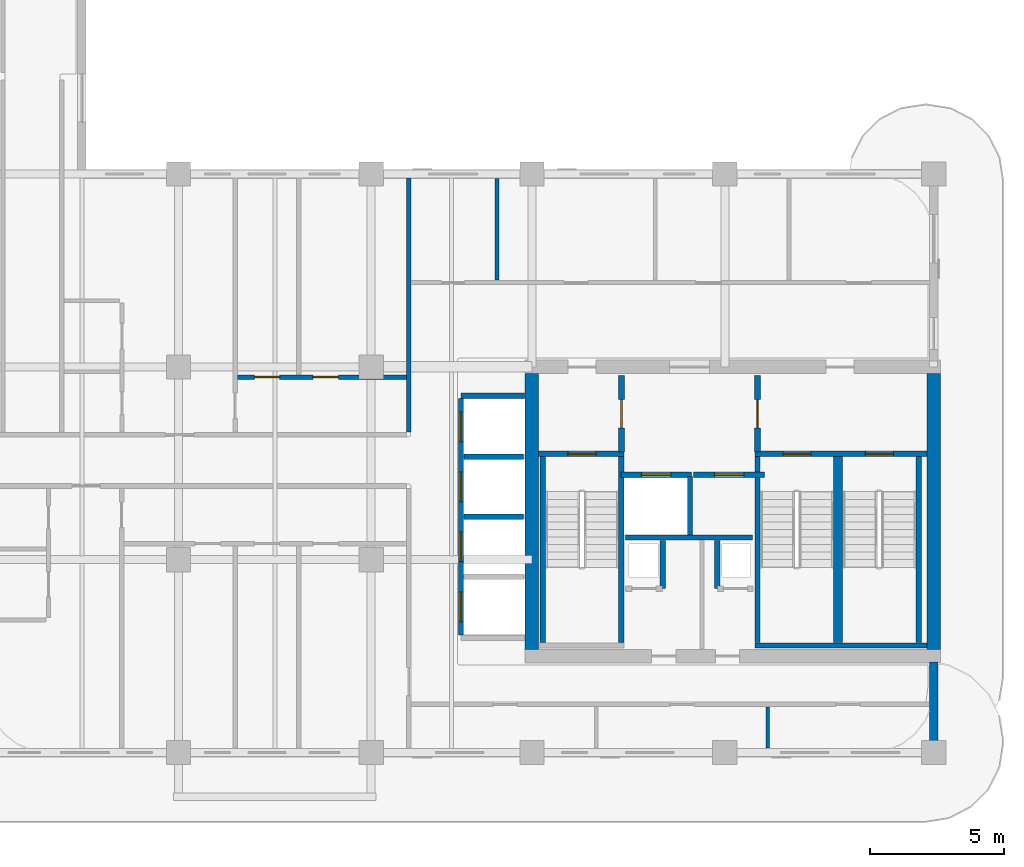
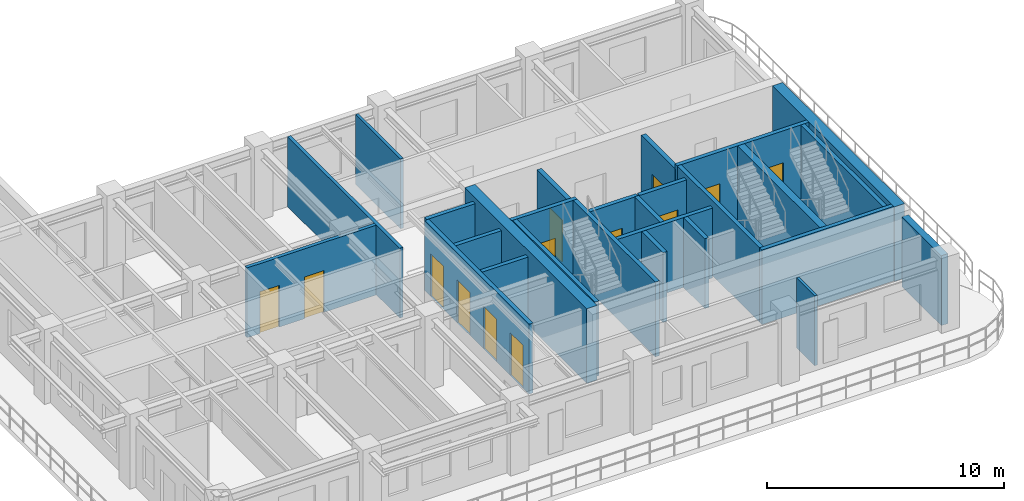
# One storey, part 8 of 14: 27 walls, 13 doors, 13 openings.
"""IFC4 building model written with IfcOpenShell, lengths in metres."""

from ifc_helpers import new_model, si_unit, derived_unit, direction, frame, frame_2d, origin, place, context, subcontext, project, spatial, rectangle, extrude, source, transform, mapped, material, layer, layer_set, type_object, type_shapes, element, fill, save


model = new_model("IFC4")

# Units and contexts
model_context = context("Model", 3, precision=1e-05, world=origin(), true_north=direction((0.0, 1.0)))
body_context = subcontext(model_context, "Body", "Model", "MODEL_VIEW")
ifc_project = project(units=[si_unit("LENGTHUNIT", "METRE"), si_unit("AREAUNIT", "SQUARE_METRE"), si_unit("VOLUMEUNIT", "CUBIC_METRE"), si_unit("PLANEANGLEUNIT", "RADIAN"), si_unit("MASSUNIT", "GRAM", prefix="KILO"), si_unit("THERMODYNAMICTEMPERATUREUNIT", "KELVIN"), si_unit("POWERUNIT", "WATT"), derived_unit("THERMALTRANSMITTANCEUNIT", [(si_unit("POWERUNIT", "WATT"), 1), (si_unit("AREAUNIT", "SQUARE_METRE"), -1), (si_unit("THERMODYNAMICTEMPERATUREUNIT", "KELVIN"), -1)])], contexts=[model_context])

# Site, building, storey
site_placement = place(None, origin())
site = spatial("IfcSite", under=ifc_project, at=site_placement, CompositionType="ELEMENT")
building_placement = place(site_placement, origin())
building = spatial("IfcBuilding", under=site, at=building_placement, Name="Zahravan Archway Hotel and Residences", CompositionType="ELEMENT")
storey_placement = place(building_placement, frame((0.0, 0.0, 209.60009765625)))
storey = spatial("IfcBuildingStorey", under=building, at=storey_placement, Name="L52", CompositionType="ELEMENT", Elevation=209.60009765625)

# Walls
ifc_material_1 = material(Name="Concrete C60/75", Category="concrete")
ifc_layer_1 = layer(ifc_material_1, 0.5, Name="Concrete C60/75", Category="concrete")
ifc_layer_set_1 = layer_set([ifc_layer_1], Name="Concrete C60/75")
wall_type_1 = type_object("IfcWallType", Name="CW-CORE-500", PredefinedType="SHEAR", material=ifc_layer_set_1)
for number, where, z_axis, x_axis, name in (
    (1, (34.800048828125, 3.85009765625, 0.0), (0.0, 0.0, 1.0), (0.0, 1.0, 0.0), "L52 Core A Shear W Wall 500 mm"),
    (2, (49.800048828125, 3.85009765625, 0.0), (0.0, 0.0, 1.0), (0.0, 1.0, 0.0), "L52 Core A Shear E Wall 500 mm"),
):
    element("IfcWall", number, at=place(storey_placement, frame(where, z_axis=z_axis, x_axis=x_axis)), inside=storey, type_object=wall_type_1, Name=name, PredefinedType="SHEAR", context=body_context, shape_type="SweptSolid", body=[
        extrude(rectangle(XDim=10.2998046875, YDim=0.5, at=frame_2d((5.14990234375, 0.0))), origin(), (0.0, 0.0, 1.0), 3.849853515625),
    ])
ifc_material_2 = material(Name="Agra Buff Sandstone & Insulated Backup", Category="masonry")
ifc_layer_2 = layer(ifc_material_2, 0.320068359375, Name="Agra Buff Sandstone & Insulated Backup", Category="masonry")
ifc_layer_set_2 = layer_set([ifc_layer_2], Name="Agra Buff Sandstone & Insulated Backup")
wall_type_2 = type_object("IfcWallType", Name="EW-SAND-320", PredefinedType="SOLIDWALL", material=ifc_layer_set_2)
wall_1_placement = place(storey_placement, frame((49.800048828125, 0.050048828125, 0.0), z_axis=(0.0, 0.0, 1.0), x_axis=(0.0, 1.0, 0.0)))
element("IfcWall", 3, at=wall_1_placement, inside=storey, type_object=wall_type_2, Name="L52 Exterior Sandstone Wall WA-ES", PredefinedType="SOLIDWALL", context=body_context, shape_type="SweptSolid", body=[
    extrude(rectangle(XDim=3.329833984375, YDim=0.320068359375, at=frame_2d((1.6650390625, 0.0))), origin(), (0.0, 0.0, 1.0), 3.599853515625),
])

# Wall, opening, door
ifc_material_3 = material(Name="Fire-Rated Gypsum & Concrete Block", Category="concrete")
ifc_layer_3 = layer(ifc_material_3, 0.219970703125, Name="Fire-Rated Gypsum & Concrete Block", Category="concrete")
ifc_layer_set_3 = layer_set([ifc_layer_3], Name="Fire-Rated Gypsum & Concrete Block")
wall_type_3 = type_object("IfcWallType", Name="PW-COMP-220", PredefinedType="PARTITIONING", material=ifc_layer_set_3)
wall_2_placement = place(storey_placement, frame((38.139892578125, 11.219970703125, 0.0), z_axis=(0.0, 0.0, 1.0), x_axis=(0.0, 1.0, 0.0)))
wall_2 = element("IfcWall", 4, at=wall_2_placement, inside=storey, type_object=wall_type_3, Name="L52 Partition CA-LOBW", PredefinedType="PARTITIONING", context=body_context, shape_type="SweptSolid", body=[
    extrude(rectangle(XDim=2.860107421875, YDim=0.219970703125, at=frame_2d((1.43017578125, 0.0))), origin(), (0.0, 0.0, 1.0), 3.599853515625),
])
opening_1_placement = place(wall_2_placement, frame((0.905029296875, 0.0, 0.0)))
opening_1 = element("IfcOpeningElement", 5, at=opening_1_placement, cuts=wall_2, Name="Opening FD-L2", PredefinedType="OPENING", context=body_context, shape_type="SweptSolid", body=[
    extrude(rectangle(XDim=1.050048828125, YDim=2.14990234375, at=frame_2d((0.52490234375, 1.074951171875))), frame((0.0, 0.1201171875, 0.0), z_axis=(0.0, -1.0, 0.0), x_axis=(1.0, 0.0, 0.0)), (0.0, 0.0, 1.0), 0.239990234375),
])
ifc_material_4 = material(Name="Fire-Rated Painted Steel", Category="steel")
door_type_1 = type_object("IfcDoorType", Name="FD-LOBBY-1100", OperationType="NOTDEFINED", PredefinedType="DOOR", material=ifc_material_4)
shared_shape_1 = source(origin(), body_context, "Body", "SweptSolid", [
    extrude(rectangle(XDim=1.050048828125, YDim=2.14990234375, at=frame_2d((0.52490234375, 1.074951171875))), frame((0.0, 0.02490234375, 0.0), z_axis=(0.0, -1.0, 0.0), x_axis=(1.0, 0.0, 0.0)), (0.0, 0.0, 1.0), 0.050048828125),
])
type_shapes(door_type_1, [shared_shape_1])
door_1_placement = place(opening_1_placement, origin())
door_1 = element("IfcDoor", 6, at=door_1_placement, inside=storey, type_object=door_type_1, Name="L52 Core A West Stair to FSAE Lobby Door", OperationType="SINGLE_SWING_RIGHT", OverallHeight=2.14990234375, OverallWidth=1.050048828125, PredefinedType="DOOR", context=body_context, shape_type="MappedRepresentation", body=[
    mapped(shared_shape_1, transform((0.0, 0.0, 0.0), scale=1.0)),
])
fill(opening_1, door_1)

wall_3_placement = place(storey_placement, frame((43.219970703125, 11.219970703125, 0.0), z_axis=(0.0, 0.0, 1.0), x_axis=(0.0, 1.0, 0.0)))
wall_3 = element("IfcWall", 7, at=wall_3_placement, inside=storey, type_object=wall_type_3, Name="L52 Partition CA-LOBE", PredefinedType="PARTITIONING", context=body_context, shape_type="SweptSolid", body=[
    extrude(rectangle(XDim=2.860107421875, YDim=0.219970703125, at=frame_2d((1.43017578125, 0.0))), origin(), (0.0, 0.0, 1.0), 3.599853515625),
])
opening_2_placement = place(wall_3_placement, frame((0.905029296875, 0.0, 0.0)))
opening_2 = element("IfcOpeningElement", 8, at=opening_2_placement, cuts=wall_3, Name="Opening FD-L2", PredefinedType="OPENING", context=body_context, shape_type="SweptSolid", body=[
    extrude(rectangle(XDim=1.050048828125, YDim=2.14990234375, at=frame_2d((0.52490234375, 1.074951171875))), frame((0.0, 0.1201171875, 0.0), z_axis=(0.0, -1.0, 0.0), x_axis=(1.0, 0.0, 0.0)), (0.0, 0.0, 1.0), 0.239990234375),
])
door_2_placement = place(opening_2_placement, origin())
door_2 = element("IfcDoor", 9, at=door_2_placement, inside=storey, type_object=door_type_1, Name="L52 Core A East Stair to FSAE Lobby Door", OperationType="SINGLE_SWING_LEFT", OverallHeight=2.14990234375, OverallWidth=1.050048828125, PredefinedType="DOOR", context=body_context, shape_type="MappedRepresentation", body=[
    mapped(shared_shape_1, transform((0.0, 0.0, 0.0), scale=1.0)),
])
fill(opening_2, door_2)

# Walls
ifc_layer_4 = layer(ifc_material_3, 0.159912109375, Name="Fire-Rated Gypsum & Concrete Block", Category="concrete")
ifc_layer_set_4 = layer_set([ifc_layer_4], Name="Fire-Rated Gypsum & Concrete Block")
wall_type_4 = type_object("IfcWallType", Name="PW-CORR-160", PredefinedType="PARTITIONING", material=ifc_layer_set_4)
wall_4_placement = place(storey_placement, frame((30.199951171875, 11.9599609375, 0.0), z_axis=(0.0, 0.0, 1.0), x_axis=(0.0, 1.0, 0.0)))
element("IfcWall", 10, at=wall_4_placement, inside=storey, type_object=wall_type_4, Name="L52 Partition WA-FW", PredefinedType="PARTITIONING", context=body_context, shape_type="SweptSolid", body=[
    extrude(rectangle(XDim=9.5, YDim=0.159912109375, at=frame_2d((4.75, 0.0))), origin(), (0.0, 0.0, 1.0), 3.599853515625),
])
ifc_material_5 = material(Name="Acoustic Stud Partition")
ifc_layer_5 = layer(ifc_material_5, 0.125, Name="Acoustic Stud Partition")
ifc_layer_set_5 = layer_set([ifc_layer_5], Name="Acoustic Stud Partition")
wall_type_5 = type_object("IfcWallType", Name="PW-INT-125", PredefinedType="PARTITIONING", material=ifc_layer_set_5)
wall_5_placement = place(storey_placement, frame((43.60009765625, 0.16796875, 0.0), z_axis=(0.0, 0.0, 1.0), x_axis=(0.0, 1.0, 0.0)))
element("IfcWall", 11, at=wall_5_placement, inside=storey, type_object=wall_type_5, Name="L52 Partition S-DIV2B", PredefinedType="PARTITIONING", context=body_context, shape_type="SweptSolid", body=[
    extrude(rectangle(XDim=1.5419921875, YDim=0.125, at=frame_2d((0.77099609375, 0.0))), origin(), (0.0, 0.0, 1.0), 3.599853515625),
])
ifc_layer_6 = layer(ifc_material_3, 0.199951171875, Name="Fire-Rated Gypsum & Concrete Block", Category="concrete")
ifc_layer_set_6 = layer_set([ifc_layer_6], Name="Fire-Rated Gypsum & Concrete Block")
wall_type_6 = type_object("IfcWallType", Name="PW-SHAFT-200", PredefinedType="PARTITIONING", material=ifc_layer_set_6)
wall_6_placement = place(storey_placement, frame((38.300048828125, 8.030029296875, 0.0), z_axis=(0.0, 0.0, 1.0), x_axis=(1.0, 0.0, 0.0)))
element("IfcWall", 12, at=wall_6_placement, inside=storey, type_object=wall_type_6, Name="L52 Partition CA-FLS", PredefinedType="PARTITIONING", context=body_context, shape_type="SweptSolid", body=[
    extrude(rectangle(XDim=4.739990234375, YDim=0.199951171875, at=frame_2d((2.3701171875, 0.0))), origin(), (0.0, 0.0, 1.0), 3.599853515625),
])
wall_7_placement = place(storey_placement, frame((40.699951171875, 8.1201171875, 0.0), z_axis=(0.0, 0.0, 1.0), x_axis=(0.0, 1.0, 0.0)))
element("IfcWall", 13, at=wall_7_placement, inside=storey, type_object=wall_type_6, Name="L52 Partition CA-FLM", PredefinedType="PARTITIONING", context=body_context, shape_type="SweptSolid", body=[
    extrude(rectangle(XDim=2.179931640625, YDim=0.199951171875, at=frame_2d((1.08984375, 0.0))), origin(), (0.0, 0.0, 1.0), 3.599853515625),
])
for number, where, z_axis, x_axis, name in (
    (14, (39.679931640625, 6.1298828125, 0.0), (0.0, 0.0, 1.0), (0.0, 1.0, 0.0), "L52 Partition CA-SMKE"),
    (15, (41.719970703125, 6.1298828125, 0.0), (0.0, 0.0, 1.0), (0.0, 1.0, 0.0), "L52 Partition CA-MEPW"),
):
    element("IfcWall", number, at=place(storey_placement, frame(where, z_axis=z_axis, x_axis=x_axis)), inside=storey, type_object=wall_type_6, Name=name, PredefinedType="PARTITIONING", context=body_context, shape_type="SweptSolid", body=[
        extrude(rectangle(XDim=1.7900390625, YDim=0.199951171875, at=frame_2d((0.89501953125, 0.0))), origin(), (0.0, 0.0, 1.0), 3.599853515625),
    ])
wall_8_placement = place(storey_placement, frame((32.159912109375, 13.320068359375, 0.0), z_axis=(0.0, 0.0, 1.0), x_axis=(1.0, 0.0, 0.0)))
element("IfcWall", 16, at=wall_8_placement, inside=storey, type_object=wall_type_6, Name="L52 Partition B3-N", PredefinedType="PARTITIONING", context=body_context, shape_type="SweptSolid", body=[
    extrude(rectangle(XDim=2.360107421875, YDim=0.199951171875, at=frame_2d((1.18017578125, 0.0))), origin(), (0.0, 0.0, 1.0), 3.599853515625),
])

# Wall, openings, doors
wall_9_placement = place(storey_placement, frame((32.14990234375, 4.389892578125, 0.0), z_axis=(0.0, 0.0, 1.0), x_axis=(0.0, 1.0, 0.0)))
wall_9 = element("IfcWall", 17, at=wall_9_placement, inside=storey, type_object=wall_type_6, Name="L52 Partition B3-W", PredefinedType="PARTITIONING", context=body_context, shape_type="SweptSolid", body=[
    extrude(rectangle(XDim=8.820068359375, YDim=0.199951171875, at=frame_2d((4.41015625, 0.0))), origin(), (0.0, 0.0, 1.0), 3.599853515625),
])
opening_3_placement = place(wall_9_placement, frame((0.5, 0.0, 0.0)))
opening_3 = element("IfcOpeningElement", 18, at=opening_3_placement, cuts=wall_9, Name="Opening LD", PredefinedType="OPENING", context=body_context, shape_type="SweptSolid", body=[
    extrude(rectangle(XDim=1.10009765625, YDim=2.199951171875, at=frame_2d((0.550048828125, 1.10009765625))), frame((0.0, 0.10986328125, 0.0), z_axis=(0.0, -1.0, 0.0), x_axis=(1.0, 0.0, 0.0)), (0.0, 0.0, 1.0), 0.219970703125),
])
opening_4_placement = place(wall_9_placement, frame((2.739990234375, 0.0, 0.0)))
opening_4 = element("IfcOpeningElement", 19, at=opening_4_placement, cuts=wall_9, Name="Opening LD", PredefinedType="OPENING", context=body_context, shape_type="SweptSolid", body=[
    extrude(rectangle(XDim=1.10009765625, YDim=2.199951171875, at=frame_2d((0.550048828125, 1.10009765625))), frame((0.0, 0.10986328125, 0.0), z_axis=(0.0, -1.0, 0.0), x_axis=(1.0, 0.0, 0.0)), (0.0, 0.0, 1.0), 0.219970703125),
])
opening_5_placement = place(wall_9_placement, frame((4.97998046875, 0.0, 0.0)))
opening_5 = element("IfcOpeningElement", 20, at=opening_5_placement, cuts=wall_9, Name="Opening LD", PredefinedType="OPENING", context=body_context, shape_type="SweptSolid", body=[
    extrude(rectangle(XDim=1.10009765625, YDim=2.199951171875, at=frame_2d((0.550048828125, 1.10009765625))), frame((0.0, 0.10986328125, 0.0), z_axis=(0.0, -1.0, 0.0), x_axis=(1.0, 0.0, 0.0)), (0.0, 0.0, 1.0), 0.219970703125),
])
opening_6_placement = place(wall_9_placement, frame((7.219970703125, 0.0, 0.0)))
opening_6 = element("IfcOpeningElement", 21, at=opening_6_placement, cuts=wall_9, Name="Opening LD", PredefinedType="OPENING", context=body_context, shape_type="SweptSolid", body=[
    extrude(rectangle(XDim=1.10009765625, YDim=2.199951171875, at=frame_2d((0.550048828125, 1.10009765625))), frame((0.0, 0.10986328125, 0.0), z_axis=(0.0, -1.0, 0.0), x_axis=(1.0, 0.0, 0.0)), (0.0, 0.0, 1.0), 0.219970703125),
])
ifc_material_6 = material(Name="Brushed Stainless Steel", Category="steel")
door_type_2 = type_object("IfcDoorType", Name="DR-LIFT-LD", OperationType="SLIDING_TO_LEFT", PredefinedType="DOOR", material=ifc_material_6)
shared_shape_2 = source(origin(), body_context, "Body", "SweptSolid", [
    extrude(rectangle(XDim=1.10009765625, YDim=2.199951171875, at=frame_2d((0.550048828125, 1.10009765625))), frame((0.0, 0.02490234375, 0.0), z_axis=(0.0, -1.0, 0.0), x_axis=(1.0, 0.0, 0.0)), (0.0, 0.0, 1.0), 0.050048828125),
])
type_shapes(door_type_2, [shared_shape_2])
door_3_placement = place(opening_3_placement, origin())
door_3 = element("IfcDoor", 22, at=door_3_placement, inside=storey, type_object=door_type_2, Name="L52 Lift LP-7 Sliding Landing Door", OperationType="SLIDING_TO_LEFT", OverallHeight=2.199951171875, OverallWidth=1.10009765625, PredefinedType="DOOR", context=body_context, shape_type="MappedRepresentation", body=[
    mapped(shared_shape_2, transform((0.0, 0.0, 0.0), scale=1.0)),
])
fill(opening_3, door_3)
door_4_placement = place(opening_4_placement, origin())
door_4 = element("IfcDoor", 23, at=door_4_placement, inside=storey, type_object=door_type_2, Name="L52 Lift LP-8 Sliding Landing Door", OperationType="SLIDING_TO_LEFT", OverallHeight=2.199951171875, OverallWidth=1.10009765625, PredefinedType="DOOR", context=body_context, shape_type="MappedRepresentation", body=[
    mapped(shared_shape_2, transform((0.0, 0.0, 0.0), scale=1.0)),
])
fill(opening_4, door_4)
door_5_placement = place(opening_5_placement, origin())
door_5 = element("IfcDoor", 24, at=door_5_placement, inside=storey, type_object=door_type_2, Name="L52 Lift LP-9 Sliding Landing Door", OperationType="SLIDING_TO_LEFT", OverallHeight=2.199951171875, OverallWidth=1.10009765625, PredefinedType="DOOR", context=body_context, shape_type="MappedRepresentation", body=[
    mapped(shared_shape_2, transform((0.0, 0.0, 0.0), scale=1.0)),
])
fill(opening_5, door_5)
door_6_placement = place(opening_6_placement, origin())
door_6 = element("IfcDoor", 25, at=door_6_placement, inside=storey, type_object=door_type_2, Name="L52 Lift LP-10 Sliding Landing Door", OperationType="SLIDING_TO_LEFT", OverallHeight=2.199951171875, OverallWidth=1.10009765625, PredefinedType="DOOR", context=body_context, shape_type="MappedRepresentation", body=[
    mapped(shared_shape_2, transform((0.0, 0.0, 0.0), scale=1.0)),
])
fill(opening_6, door_6)

# Walls
for number, where, z_axis, x_axis, name in (
    (26, (32.260009765625, 8.800048828125, 0.0), (0.0, 0.0, 1.0), (1.0, 0.0, 0.0), "L52 Partition B3-D"),
    (27, (32.260009765625, 11.0400390625, 0.0), (0.0, 0.0, 1.0), (1.0, 0.0, 0.0), "L52 Partition B3-D"),
):
    element("IfcWall", number, at=place(storey_placement, frame(where, z_axis=z_axis, x_axis=x_axis)), inside=storey, type_object=wall_type_6, Name=name, PredefinedType="PARTITIONING", context=body_context, shape_type="SweptSolid", body=[
        extrude(rectangle(XDim=2.22998046875, YDim=0.199951171875, at=frame_2d((1.114990234375, 0.0))), origin(), (0.0, 0.0, 1.0), 3.599853515625),
    ])

# Wall, opening, door
wall_10_placement = place(storey_placement, frame((38.1201171875, 10.3701171875, 0.0), z_axis=(0.0, 0.0, 1.0), x_axis=(1.0, 0.0, 0.0)))
wall_10 = element("IfcWall", 28, at=wall_10_placement, inside=storey, type_object=wall_type_6, Name="L52 Lift FL-1 Front Wall", PredefinedType="PARTITIONING", context=body_context, shape_type="SweptSolid", body=[
    extrude(rectangle(XDim=2.639892578125, YDim=0.199951171875, at=frame_2d((1.31982421875, 0.0))), origin(), (0.0, 0.0, 1.0), 3.599853515625),
])
opening_7_placement = place(wall_10_placement, frame((0.77001953125, 0.0, 0.0)))
opening_7 = element("IfcOpeningElement", 29, at=opening_7_placement, cuts=wall_10, Name="Opening LD", PredefinedType="OPENING", context=body_context, shape_type="SweptSolid", body=[
    extrude(rectangle(XDim=1.10009765625, YDim=2.199951171875, at=frame_2d((0.550048828125, 1.10009765625))), frame((0.0, 0.10986328125, 0.0), z_axis=(0.0, -1.0, 0.0), x_axis=(1.0, 0.0, 0.0)), (0.0, 0.0, 1.0), 0.219970703125),
])
door_7_placement = place(opening_7_placement, origin())
door_7 = element("IfcDoor", 30, at=door_7_placement, inside=storey, type_object=door_type_2, Name="L52 Lift FL-1 Sliding Landing Door", OperationType="SLIDING_TO_LEFT", OverallHeight=2.199951171875, OverallWidth=1.10009765625, PredefinedType="DOOR", context=body_context, shape_type="MappedRepresentation", body=[
    mapped(shared_shape_2, transform((0.0, 0.0, 0.0), scale=1.0)),
])
fill(opening_7, door_7)

wall_11_placement = place(storey_placement, frame((40.840087890625, 10.3701171875, 0.0), z_axis=(0.0, 0.0, 1.0), x_axis=(1.0, 0.0, 0.0)))
wall_11 = element("IfcWall", 31, at=wall_11_placement, inside=storey, type_object=wall_type_6, Name="L52 Lift FL-2 Front Wall", PredefinedType="PARTITIONING", context=body_context, shape_type="SweptSolid", body=[
    extrude(rectangle(XDim=2.639892578125, YDim=0.199951171875, at=frame_2d((1.31982421875, 0.0))), origin(), (0.0, 0.0, 1.0), 3.599853515625),
])
opening_8_placement = place(wall_11_placement, frame((0.77001953125, 0.0, 0.0)))
opening_8 = element("IfcOpeningElement", 32, at=opening_8_placement, cuts=wall_11, Name="Opening LD", PredefinedType="OPENING", context=body_context, shape_type="SweptSolid", body=[
    extrude(rectangle(XDim=1.10009765625, YDim=2.199951171875, at=frame_2d((0.550048828125, 1.10009765625))), frame((0.0, 0.10986328125, 0.0), z_axis=(0.0, -1.0, 0.0), x_axis=(1.0, 0.0, 0.0)), (0.0, 0.0, 1.0), 0.219970703125),
])
door_8_placement = place(opening_8_placement, origin())
door_8 = element("IfcDoor", 33, at=door_8_placement, inside=storey, type_object=door_type_2, Name="L52 Lift FL-2 Sliding Landing Door", OperationType="SLIDING_TO_LEFT", OverallHeight=2.199951171875, OverallWidth=1.10009765625, PredefinedType="DOOR", context=body_context, shape_type="MappedRepresentation", body=[
    mapped(shared_shape_2, transform((0.0, 0.0, 0.0), scale=1.0)),
])
fill(opening_8, door_8)

# Wall, openings, doors
ifc_layer_7 = layer(ifc_material_5, 0.169921875, Name="Acoustic Stud Partition")
ifc_layer_set_7 = layer_set([ifc_layer_7], Name="Acoustic Stud Partition")
wall_type_7 = type_object("IfcWallType", Name="PW-UNIT-170", PredefinedType="PARTITIONING", material=ifc_layer_set_7)
wall_12_placement = place(storey_placement, frame((23.81005859375, 14.02001953125, 0.0), z_axis=(0.0, 0.0, 1.0), x_axis=(1.0, 0.0, 0.0)))
wall_12 = element("IfcWall", 34, at=wall_12_placement, inside=storey, type_object=wall_type_7, Name="L52 Partition FL-HN1-GH", PredefinedType="PARTITIONING", context=body_context, shape_type="SweptSolid", body=[
    extrude(rectangle(XDim=6.300048828125, YDim=0.169921875, at=frame_2d((3.14990234375, 0.0))), origin(), (0.0, 0.0, 1.0), 3.599853515625),
])
opening_9_placement = place(wall_12_placement, frame((0.625, 0.0, 0.0)))
opening_9 = element("IfcOpeningElement", 35, at=opening_9_placement, cuts=wall_12, Name="Opening D-I1", PredefinedType="OPENING", context=body_context, shape_type="SweptSolid", body=[
    extrude(rectangle(XDim=0.949951171875, YDim=2.14990234375, at=frame_2d((0.47509765625, 1.074951171875))), frame((0.0, 0.094970703125, 0.0), z_axis=(0.0, -1.0, 0.0), x_axis=(1.0, 0.0, 0.0)), (0.0, 0.0, 1.0), 0.18994140625),
])
opening_10_placement = place(wall_12_placement, frame((2.81494140625, 0.0, 0.0)))
opening_10 = element("IfcOpeningElement", 36, at=opening_10_placement, cuts=wall_12, Name="Opening D-I1", PredefinedType="OPENING", context=body_context, shape_type="SweptSolid", body=[
    extrude(rectangle(XDim=0.949951171875, YDim=2.14990234375, at=frame_2d((0.47509765625, 1.074951171875))), frame((0.0, 0.094970703125, 0.0), z_axis=(0.0, -1.0, 0.0), x_axis=(1.0, 0.0, 0.0)), (0.0, 0.0, 1.0), 0.18994140625),
])
ifc_material_7 = material(Name="Hardwood Veneer Timber", Category="wood")
door_type_3 = type_object("IfcDoorType", Name="ID-INT-950", OperationType="NOTDEFINED", PredefinedType="DOOR", material=ifc_material_7)
shared_shape_3 = source(origin(), body_context, "Body", "SweptSolid", [
    extrude(rectangle(XDim=0.949951171875, YDim=2.14990234375, at=frame_2d((0.47509765625, 1.074951171875))), frame((0.0, 0.02490234375, 0.0), z_axis=(0.0, -1.0, 0.0), x_axis=(1.0, 0.0, 0.0)), (0.0, 0.0, 1.0), 0.050048828125),
])
type_shapes(door_type_3, [shared_shape_3])
door_9_placement = place(opening_9_placement, origin())
door_9 = element("IfcDoor", 37, at=door_9_placement, inside=storey, type_object=door_type_3, Name="L52 Flat HN1 Bedroom 1 Door", OperationType="SINGLE_SWING_RIGHT", OverallHeight=2.14990234375, OverallWidth=0.949951171875, PredefinedType="DOOR", context=body_context, shape_type="MappedRepresentation", body=[
    mapped(shared_shape_3, transform((0.0, 0.0, 0.0), scale=1.0)),
])
fill(opening_9, door_9)
door_10_placement = place(opening_10_placement, origin())
door_10 = element("IfcDoor", 38, at=door_10_placement, inside=storey, type_object=door_type_3, Name="L52 Flat HN1 Bedroom 2 Door", OperationType="SINGLE_SWING_LEFT", OverallHeight=2.14990234375, OverallWidth=0.949951171875, PredefinedType="DOOR", context=body_context, shape_type="MappedRepresentation", body=[
    mapped(shared_shape_3, transform((0.0, 0.0, 0.0), scale=1.0)),
])
fill(opening_10, door_10)

# Walls
ifc_material_8 = material(Name="Moisture-Resistant Blockwork", Category="masonry")
ifc_layer_8 = layer(ifc_material_8, 0.139892578125, Name="Moisture-Resistant Blockwork", Category="masonry")
ifc_layer_set_8 = layer_set([ifc_layer_8], Name="Moisture-Resistant Blockwork")
wall_type_8 = type_object("IfcWallType", Name="PW-WET-140", PredefinedType="PARTITIONING", material=ifc_layer_set_8)
wall_13_placement = place(storey_placement, frame((33.5, 17.639892578125, 0.0), z_axis=(0.0, 0.0, 1.0), x_axis=(0.0, 1.0, 0.0)))
element("IfcWall", 39, at=wall_13_placement, inside=storey, type_object=wall_type_8, Name="L52 Partition NE2-1", PredefinedType="PARTITIONING", context=body_context, shape_type="SweptSolid", body=[
    extrude(rectangle(XDim=3.7919921875, YDim=0.139892578125, at=frame_2d((1.89599609375, 0.0))), origin(), (0.0, 0.0, 1.0), 3.599853515625),
])
ifc_material_9 = material(Name="Concrete C50/60", Category="concrete")
ifc_layer_9 = layer(ifc_material_9, 0.199951171875, Name="Concrete C50/60", Category="concrete")
ifc_layer_set_9 = layer_set([ifc_layer_9], Name="Concrete C50/60")
wall_type_9 = type_object("IfcWallType", Name="SW-STAIR-200", PredefinedType="SHEAR", material=ifc_layer_set_9)
for number, where, z_axis, x_axis, name in (
    (40, (35.199951171875, 4.10009765625, 0.0), (0.0, 0.0, 1.0), (0.0, 1.0, 0.0), "L52 Stairwell RC Wall CA-SA1W"),
    (41, (38.139892578125, 4.10009765625, 0.0), (0.0, 0.0, 1.0), (0.0, 1.0, 0.0), "L52 Stairwell RC Wall CA-SA1E"),
):
    element("IfcWall", number, at=place(storey_placement, frame(where, z_axis=z_axis, x_axis=x_axis)), inside=storey, type_object=wall_type_9, Name=name, PredefinedType="SHEAR", context=body_context, shape_type="SweptSolid", body=[
        extrude(rectangle(XDim=6.949951171875, YDim=0.199951171875, at=frame_2d((3.47509765625, 0.0))), origin(), (0.0, 0.0, 1.0), 3.849853515625),
    ])

# Wall, opening, door
wall_14_placement = place(storey_placement, frame((35.050048828125, 11.14990234375, 0.0), z_axis=(0.0, 0.0, 1.0), x_axis=(1.0, 0.0, 0.0)))
wall_14 = element("IfcWall", 42, at=wall_14_placement, inside=storey, type_object=wall_type_9, Name="L52 Stairwell RC Wall CA-SA1N", PredefinedType="SHEAR", context=body_context, shape_type="SweptSolid", body=[
    extrude(rectangle(XDim=3.18994140625, YDim=0.199951171875, at=frame_2d((1.594970703125, 0.0))), origin(), (0.0, 0.0, 1.0), 3.849853515625),
])
opening_11_placement = place(wall_14_placement, frame((1.094970703125, 0.0, 0.0)))
opening_11 = element("IfcOpeningElement", 43, at=opening_11_placement, cuts=wall_14, Name="Opening FD-S1", PredefinedType="OPENING", context=body_context, shape_type="SweptSolid", body=[
    extrude(rectangle(XDim=1.050048828125, YDim=2.199951171875, at=frame_2d((0.52490234375, 1.10009765625))), frame((0.0, 0.10986328125, 0.0), z_axis=(0.0, -1.0, 0.0), x_axis=(1.0, 0.0, 0.0)), (0.0, 0.0, 1.0), 0.219970703125),
])
door_type_4 = type_object("IfcDoorType", Name="FD-STAIR-1100", OperationType="NOTDEFINED", PredefinedType="DOOR", material=ifc_material_4)
shared_shape_4 = source(origin(), body_context, "Body", "SweptSolid", [
    extrude(rectangle(XDim=1.050048828125, YDim=2.199951171875, at=frame_2d((0.52490234375, 1.10009765625))), frame((0.0, 0.02490234375, 0.0), z_axis=(0.0, -1.0, 0.0), x_axis=(1.0, 0.0, 0.0)), (0.0, 0.0, 1.0), 0.050048828125),
])
type_shapes(door_type_4, [shared_shape_4])
door_11_placement = place(opening_11_placement, origin())
door_11 = element("IfcDoor", 44, at=door_11_placement, inside=storey, type_object=door_type_4, Name="L52 Stair ST-A1 Door", OperationType="SINGLE_SWING_LEFT", OverallHeight=2.199951171875, OverallWidth=1.050048828125, PredefinedType="DOOR", context=body_context, shape_type="MappedRepresentation", body=[
    mapped(shared_shape_4, transform((0.0, 0.0, 0.0), scale=1.0)),
])
fill(opening_11, door_11)

# Walls
wall_15_placement = place(storey_placement, frame((43.1201171875, 4.0, 0.0), z_axis=(0.0, 0.0, 1.0), x_axis=(1.0, 0.0, 0.0)))
element("IfcWall", 45, at=wall_15_placement, inside=storey, type_object=wall_type_9, Name="L52 Stairwell RC Wall CA-SA23S", PredefinedType="SHEAR", context=body_context, shape_type="SweptSolid", body=[
    extrude(rectangle(XDim=6.429931640625, YDim=0.199951171875, at=frame_2d((3.21484375, 0.0))), origin(), (0.0, 0.0, 1.0), 3.849853515625),
])
for number, where, z_axis, x_axis, name in (
    (46, (43.219970703125, 4.10009765625, 0.0), (0.0, 0.0, 1.0), (0.0, 1.0, 0.0), "L52 Stairwell RC Wall CA-SA2W"),
    (47, (49.239990234375, 4.10009765625, 0.0), (0.0, 0.0, 1.0), (0.0, 1.0, 0.0), "L52 Stairwell RC Wall CA-SA3E"),
):
    element("IfcWall", number, at=place(storey_placement, frame(where, z_axis=z_axis, x_axis=x_axis)), inside=storey, type_object=wall_type_9, Name=name, PredefinedType="SHEAR", context=body_context, shape_type="SweptSolid", body=[
        extrude(rectangle(XDim=6.949951171875, YDim=0.199951171875, at=frame_2d((3.47509765625, 0.0))), origin(), (0.0, 0.0, 1.0), 3.849853515625),
    ])

# Wall, openings, doors
wall_16_placement = place(storey_placement, frame((43.1201171875, 11.14990234375, 0.0), z_axis=(0.0, 0.0, 1.0), x_axis=(1.0, 0.0, 0.0)))
wall_16 = element("IfcWall", 48, at=wall_16_placement, inside=storey, type_object=wall_type_9, Name="L52 Stairwell RC Wall CA-SA23N", PredefinedType="SHEAR", context=body_context, shape_type="SweptSolid", body=[
    extrude(rectangle(XDim=6.429931640625, YDim=0.199951171875, at=frame_2d((3.21484375, 0.0))), origin(), (0.0, 0.0, 1.0), 3.849853515625),
])
opening_12_placement = place(wall_16_placement, frame((1.044921875, 0.0, 0.0)))
opening_12 = element("IfcOpeningElement", 49, at=opening_12_placement, cuts=wall_16, Name="Opening FD-S1", PredefinedType="OPENING", context=body_context, shape_type="SweptSolid", body=[
    extrude(rectangle(XDim=1.050048828125, YDim=2.199951171875, at=frame_2d((0.52490234375, 1.10009765625))), frame((0.0, 0.10986328125, 0.0), z_axis=(0.0, -1.0, 0.0), x_axis=(1.0, 0.0, 0.0)), (0.0, 0.0, 1.0), 0.219970703125),
])
opening_13_placement = place(wall_16_placement, frame((4.125, 0.0, 0.0)))
opening_13 = element("IfcOpeningElement", 50, at=opening_13_placement, cuts=wall_16, Name="Opening FD-S1", PredefinedType="OPENING", context=body_context, shape_type="SweptSolid", body=[
    extrude(rectangle(XDim=1.050048828125, YDim=2.199951171875, at=frame_2d((0.52490234375, 1.10009765625))), frame((0.0, 0.10986328125, 0.0), z_axis=(0.0, -1.0, 0.0), x_axis=(1.0, 0.0, 0.0)), (0.0, 0.0, 1.0), 0.219970703125),
])
door_12_placement = place(opening_12_placement, origin())
door_12 = element("IfcDoor", 51, at=door_12_placement, inside=storey, type_object=door_type_4, Name="L52 Stair ST-A2 Door", OperationType="SINGLE_SWING_RIGHT", OverallHeight=2.199951171875, OverallWidth=1.050048828125, PredefinedType="DOOR", context=body_context, shape_type="MappedRepresentation", body=[
    mapped(shared_shape_4, transform((0.0, 0.0, 0.0), scale=1.0)),
])
fill(opening_12, door_12)
door_13_placement = place(opening_13_placement, origin())
door_13 = element("IfcDoor", 52, at=door_13_placement, inside=storey, type_object=door_type_4, Name="L52 Stair ST-A3 Door", OperationType="SINGLE_SWING_LEFT", OverallHeight=2.199951171875, OverallWidth=1.050048828125, PredefinedType="DOOR", context=body_context, shape_type="MappedRepresentation", body=[
    mapped(shared_shape_4, transform((0.0, 0.0, 0.0), scale=1.0)),
])
fill(opening_13, door_13)

# Wall
ifc_layer_10 = layer(ifc_material_9, 0.340087890625, Name="Concrete C50/60", Category="concrete")
ifc_layer_set_10 = layer_set([ifc_layer_10], Name="Concrete C50/60")
wall_type_10 = type_object("IfcWallType", Name="SW-STAIR-340", PredefinedType="SHEAR", material=ifc_layer_set_10)
wall_17_placement = place(storey_placement, frame((46.22998046875, 4.10009765625, 0.0), z_axis=(0.0, 0.0, 1.0), x_axis=(0.0, 1.0, 0.0)))
element("IfcWall", 53, at=wall_17_placement, inside=storey, type_object=wall_type_10, Name="L52 Stairwell RC Wall CA-SA23M", PredefinedType="SHEAR", context=body_context, shape_type="SweptSolid", body=[
    extrude(rectangle(XDim=6.949951171875, YDim=0.340087890625, at=frame_2d((3.47509765625, 0.0))), origin(), (0.0, 0.0, 1.0), 3.849853515625),
])

save(model, "model.ifc")
